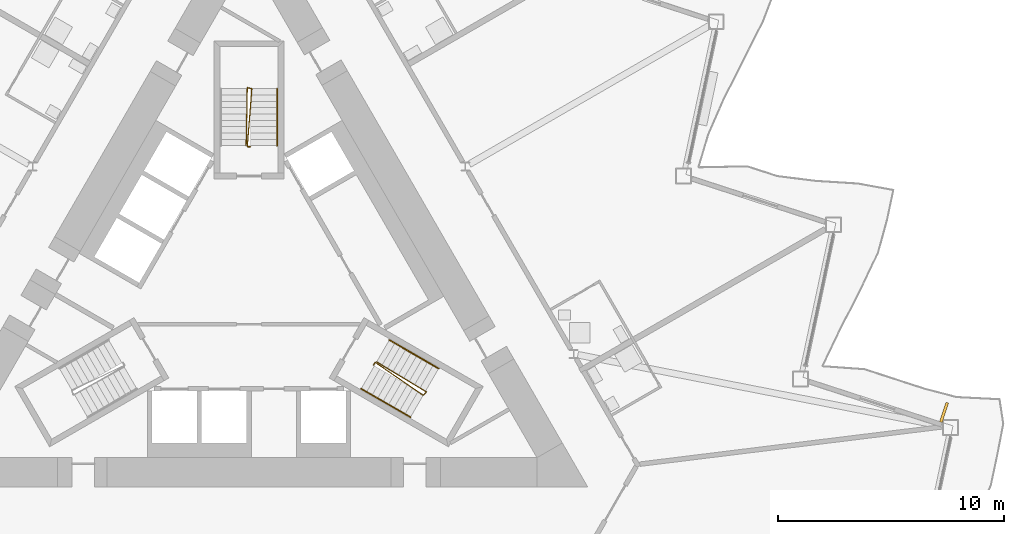
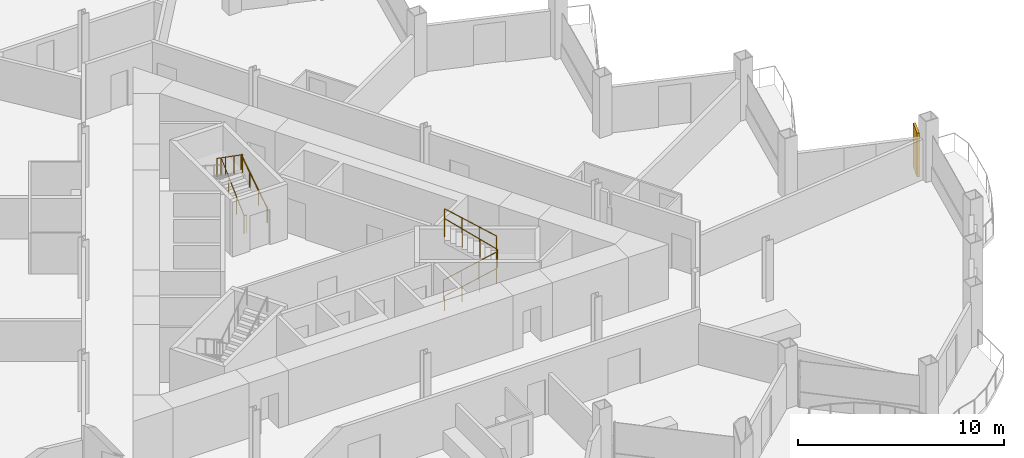
# One storey, part 20 of 24: 5 railings, 1 shading device.
"""IFC4 building model written with IfcOpenShell, lengths in metres."""

from ifc_helpers import new_model, si_unit, direction, frame, origin, origin_2d, place, context, subcontext, project, spatial, rectangle, circle, extrude, material, layer, layer_set, type_object, element, save


model = new_model("IFC4")

# Units and contexts
model_context = context("Model", 3, precision=1e-05, world=origin(), true_north=direction((0.0, 1.0)))
body_context = subcontext(model_context, "Body", "Model", "MODEL_VIEW")
ifc_project = project(units=[si_unit("LENGTHUNIT", "METRE"), si_unit("AREAUNIT", "SQUARE_METRE"), si_unit("VOLUMEUNIT", "CUBIC_METRE"), si_unit("PLANEANGLEUNIT", "RADIAN"), si_unit("MASSUNIT", "GRAM", prefix="KILO")], contexts=[model_context])

# Site, building, storey
site_placement = place(None, origin())
site = spatial("IfcSite", under=ifc_project, at=site_placement, CompositionType="ELEMENT")
building_placement = place(site_placement, origin())
building = spatial("IfcBuilding", under=site, at=building_placement, Name="Cormorant Prow Tower", CompositionType="ELEMENT")
storey_placement = place(building_placement, frame((0.0, 0.0, 274.199951171875)))
storey = spatial("IfcBuildingStorey", under=building, at=storey_placement, Name="L62", CompositionType="ELEMENT", Elevation=274.199951171875)

# Railings
ifc_material_1 = material(Name="Stainless steel", Category="steel")
railing_type_1 = type_object("IfcRailingType", Name="Stair guard 1100", PredefinedType="GUARDRAIL", material=ifc_material_1)
railing_1_placement = place(storey_placement, frame((5.510009765625, -3.267822265625, 0.0)))
element("IfcRailing", 1, at=railing_1_placement, inside=storey, type_object=railing_type_1, Name="L62 ST2 stair guard 1", PredefinedType="GUARDRAIL", context=body_context, shape_type="SweptSolid", body=[
    extrude(circle(Radius=0.02392578125, at=origin_2d()), frame((0.0, 0.0, 1.076171875), z_axis=(0.501036270542, 0.865426285481, 0.0), x_axis=(-0.865426285481, 0.501036270542, 0.0)), (0.0, 0.0, 1.0), 0.150146484375),
    extrude(circle(Radius=0.02392578125, at=origin_2d()), frame((0.0751953125, 0.1298828125, 1.076171875), z_axis=(0.676058237057, -0.463829066155, 0.572545070276), x_axis=(0.565732651216, 0.824588726183, 0.0)), (0.0, 0.0, 1.0), 3.14404296875),
    extrude(circle(Radius=0.02392578125, at=origin_2d()), frame((2.20068359375, -1.328369140625, 2.8759765625), z_axis=(0.695164929852, 0.718850276695, 0.0), x_axis=(-0.718850276695, 0.695164929852, 0.0)), (0.0, 0.0, 1.0), 0.2060546875),
    extrude(circle(Radius=0.02392578125, at=origin_2d()), frame((2.343994140625, -1.18017578125, 2.8759765625), z_axis=(-0.70127624584, 0.423301980654, 0.573608804147), x_axis=(-0.516770599887, -0.856123908726, 0.0)), (0.0, 0.0, 1.0), 3.13818359375),
    extrude(circle(Radius=0.02099609375, at=origin_2d()), origin(), (0.0, 0.0, 1.0), 1.052001953125),
    extrude(circle(Radius=0.02099609375, at=origin_2d()), frame((0.0751953125, 0.1298828125, 0.0)), (0.0, 0.0, 1.0), 1.052001953125),
    extrude(circle(Radius=0.02099609375, at=origin_2d()), frame((0.78369140625, -0.356201171875, 0.60009765625)), (0.0, 0.0, 1.0), 1.052001953125),
    extrude(circle(Radius=0.02099609375, at=origin_2d()), frame((1.4921875, -0.84228515625, 1.199951171875)), (0.0, 0.0, 1.0), 1.052001953125),
    extrude(circle(Radius=0.02099609375, at=origin_2d()), frame((2.20068359375, -1.328369140625, 1.800048828125)), (0.0, 0.0, 1.0), 1.052001953125),
    extrude(circle(Radius=0.02099609375, at=origin_2d()), frame((2.343994140625, -1.18017578125, 1.800048828125)), (0.0, 0.0, 1.0), 1.052001953125),
    extrude(circle(Radius=0.02099609375, at=origin_2d()), frame((1.6103515625, -0.7373046875, 2.400146484375)), (0.0, 0.0, 1.0), 1.052001953125),
    extrude(circle(Radius=0.02099609375, at=origin_2d()), frame((0.876953125, -0.294677734375, 3.0)), (0.0, 0.0, 1.0), 1.052001953125),
    extrude(circle(Radius=0.02099609375, at=origin_2d()), frame((0.143310546875, 0.148193359375, 3.60009765625)), (0.0, 0.0, 1.0), 1.052001953125),
])
railing_2_placement = place(storey_placement, frame((0.074951171875, 6.40576171875, 0.0)))
element("IfcRailing", 2, at=railing_2_placement, inside=storey, type_object=railing_type_1, Name="L62 ST3 stair guard 1", PredefinedType="GUARDRAIL", context=body_context, shape_type="SweptSolid", body=[
    extrude(circle(Radius=0.02392578125, at=origin_2d()), frame((0.0, 0.0, 1.076171875), z_axis=(-1.0, 0.0, 0.0), x_axis=(0.0, -1.0, 0.0)), (0.0, 0.0, 1.0), 0.14990234375),
    extrude(circle(Radius=0.02392578125, at=origin_2d()), frame((-0.14990234375, 0.0, 1.076171875), z_axis=(0.063595540489, 0.817423998443, 0.572515164864), x_axis=(-0.996987254287, 0.077565551559, 0.0)), (0.0, 0.0, 1.0), 3.14404296875),
    extrude(circle(Radius=0.02392578125, at=origin_2d()), frame((0.050048828125, 2.570068359375, 2.8759765625), z_axis=(-0.970072785993, 0.242814311512, 0.0), x_axis=(-0.242814311512, -0.970072785993, 0.0)), (0.0, 0.0, 1.0), 0.2060546875),
    extrude(circle(Radius=0.02392578125, at=origin_2d()), frame((-0.14990234375, 2.6201171875, 2.8759765625), z_axis=(-0.01594855688, -0.818977845239, 0.573603462805), x_axis=(0.999810440751, -0.019470042781, 0.0)), (0.0, 0.0, 1.0), 3.13818359375),
    extrude(circle(Radius=0.02099609375, at=origin_2d()), origin(), (0.0, 0.0, 1.0), 1.052001953125),
    extrude(circle(Radius=0.02099609375, at=origin_2d()), frame((-0.14990234375, 0.0, 0.0)), (0.0, 0.0, 1.0), 1.052001953125),
    extrude(circle(Radius=0.02099609375, at=origin_2d()), frame((-0.083251953125, 0.856689453125, 0.60009765625)), (0.0, 0.0, 1.0), 1.052001953125),
    extrude(circle(Radius=0.02099609375, at=origin_2d()), frame((-0.0166015625, 1.71337890625, 1.199951171875)), (0.0, 0.0, 1.0), 1.052001953125),
    extrude(circle(Radius=0.02099609375, at=origin_2d()), frame((0.050048828125, 2.570068359375, 1.800048828125)), (0.0, 0.0, 1.0), 1.052001953125),
    extrude(circle(Radius=0.02099609375, at=origin_2d()), frame((-0.14990234375, 2.6201171875, 1.800048828125)), (0.0, 0.0, 1.0), 1.052001953125),
    extrude(circle(Radius=0.02099609375, at=origin_2d()), frame((-0.16650390625, 1.763427734375, 2.400146484375)), (0.0, 0.0, 1.0), 1.052001953125),
    extrude(circle(Radius=0.02099609375, at=origin_2d()), frame((-0.183349609375, 0.90673828125, 3.0)), (0.0, 0.0, 1.0), 1.052001953125),
    extrude(circle(Radius=0.02099609375, at=origin_2d()), frame((-0.199951171875, 0.050048828125, 3.60009765625)), (0.0, 0.0, 1.0), 1.052001953125),
])
ifc_material_2 = material(Name="Stainless steel", Category="steel")
railing_type_2 = type_object("IfcRailingType", Name="Stair handrail 900", PredefinedType="HANDRAIL", material=ifc_material_2)
railing_3_placement = place(storey_placement, frame((4.968994140625, -4.30517578125, 0.179931640625)))
element("IfcRailing", 3, at=railing_3_placement, inside=storey, type_object=railing_type_2, Name="L62 ST2 stair handrail 1", PredefinedType="HANDRAIL", context=body_context, shape_type="SweptSolid", body=[
    extrude(circle(Radius=0.02392578125, at=origin_2d()), frame((0.0, 0.0, 0.8759765625), z_axis=(0.728463801763, -0.420584145978, 0.540785970299), x_axis=(0.500004791531, 0.866022637375, 0.0)), (0.0, 0.0, 1.0), 2.995849609375),
    extrude(circle(Radius=0.02099609375, at=origin_2d()), origin(), (0.0, 0.0, 1.0), 0.851806640625),
    extrude(circle(Radius=0.02099609375, at=origin_2d()), frame((0.7275390625, -0.419921875, 0.5400390625)), (0.0, 0.0, 1.0), 0.851806640625),
    extrude(circle(Radius=0.02099609375, at=origin_2d()), frame((1.454833984375, -0.840087890625, 1.080078125)), (0.0, 0.0, 1.0), 0.851806640625),
    extrude(circle(Radius=0.02099609375, at=origin_2d()), frame((2.182373046875, -1.260009765625, 1.6201171875)), (0.0, 0.0, 1.0), 0.851806640625),
])
railing_4_placement = place(storey_placement, frame((8.395263671875, -3.41064453125, 1.97998046875)))
element("IfcRailing", 4, at=railing_4_placement, inside=storey, type_object=railing_type_2, Name="L62 ST2 stair handrail 2", PredefinedType="HANDRAIL", context=body_context, shape_type="SweptSolid", body=[
    extrude(circle(Radius=0.02392578125, at=origin_2d()), frame((0.0, 0.0, 0.8759765625), z_axis=(-0.728463801763, 0.420584145978, 0.540785970299), x_axis=(-0.500004791531, -0.866022637375, 0.0)), (0.0, 0.0, 1.0), 2.995849609375),
    extrude(circle(Radius=0.02099609375, at=origin_2d()), origin(), (0.0, 0.0, 1.0), 0.851806640625),
    extrude(circle(Radius=0.02099609375, at=origin_2d()), frame((-0.7275390625, 0.419921875, 0.5400390625)), (0.0, 0.0, 1.0), 0.851806640625),
    extrude(circle(Radius=0.02099609375, at=origin_2d()), frame((-1.454833984375, 0.840087890625, 1.080078125)), (0.0, 0.0, 1.0), 0.851806640625),
    extrude(circle(Radius=0.02099609375, at=origin_2d()), frame((-2.182373046875, 1.260009765625, 1.6201171875)), (0.0, 0.0, 1.0), 0.851806640625),
])
railing_5_placement = place(storey_placement, frame((1.243896484375, 6.455810546875, 0.179931640625)))
element("IfcRailing", 5, at=railing_5_placement, inside=storey, type_object=railing_type_2, Name="L62 ST3 stair handrail 1", PredefinedType="HANDRAIL", context=body_context, shape_type="SweptSolid", body=[
    extrude(circle(Radius=0.02392578125, at=origin_2d()), frame((0.0, 0.0, 0.8759765625), z_axis=(0.0, 0.841162588446, 0.540782303519), x_axis=(-1.0, 0.0, 0.0)), (0.0, 0.0, 1.0), 2.995849609375),
    extrude(circle(Radius=0.02099609375, at=origin_2d()), origin(), (0.0, 0.0, 1.0), 0.851806640625),
    extrude(circle(Radius=0.02099609375, at=origin_2d()), frame((0.0, 0.840087890625, 0.5400390625)), (0.0, 0.0, 1.0), 0.851806640625),
    extrude(circle(Radius=0.02099609375, at=origin_2d()), frame((0.0, 1.679931640625, 1.080078125)), (0.0, 0.0, 1.0), 0.851806640625),
    extrude(circle(Radius=0.02099609375, at=origin_2d()), frame((0.0, 2.52001953125, 1.6201171875)), (0.0, 0.0, 1.0), 0.851806640625),
])

# Shading device
ifc_material_3 = material(Name="Terracotta", Category="masonry")
ifc_layer = layer(ifc_material_3, 0.1201171875)
ifc_layer_set = layer_set([ifc_layer], Name="Terracotta")
shading_device_type = type_object("IfcShadingDeviceType", Name="Terracotta baguette fin 120x900x2600", PredefinedType="USERDEFINED", material=ifc_layer_set)
shading_device_placement = place(storey_placement, frame((30.773681640625, -5.35302734375, 0.0), z_axis=(0.0, 0.0, 1.0), x_axis=(-0.95105651684, 0.309016992698, 0.0)))
element("IfcShadingDevice", 6, at=shading_device_placement, inside=storey, type_object=shading_device_type, Name="Baguette fin ENE01", ObjectType="BAGUETTE", PredefinedType="USERDEFINED", context=body_context, shape_type="SweptSolid", body=[
    extrude(rectangle(XDim=0.1201171875, YDim=0.89990234375, at=origin_2d()), origin(), (0.0, 0.0, 1.0), 2.60009765625),
])

save(model, "model.ifc")
